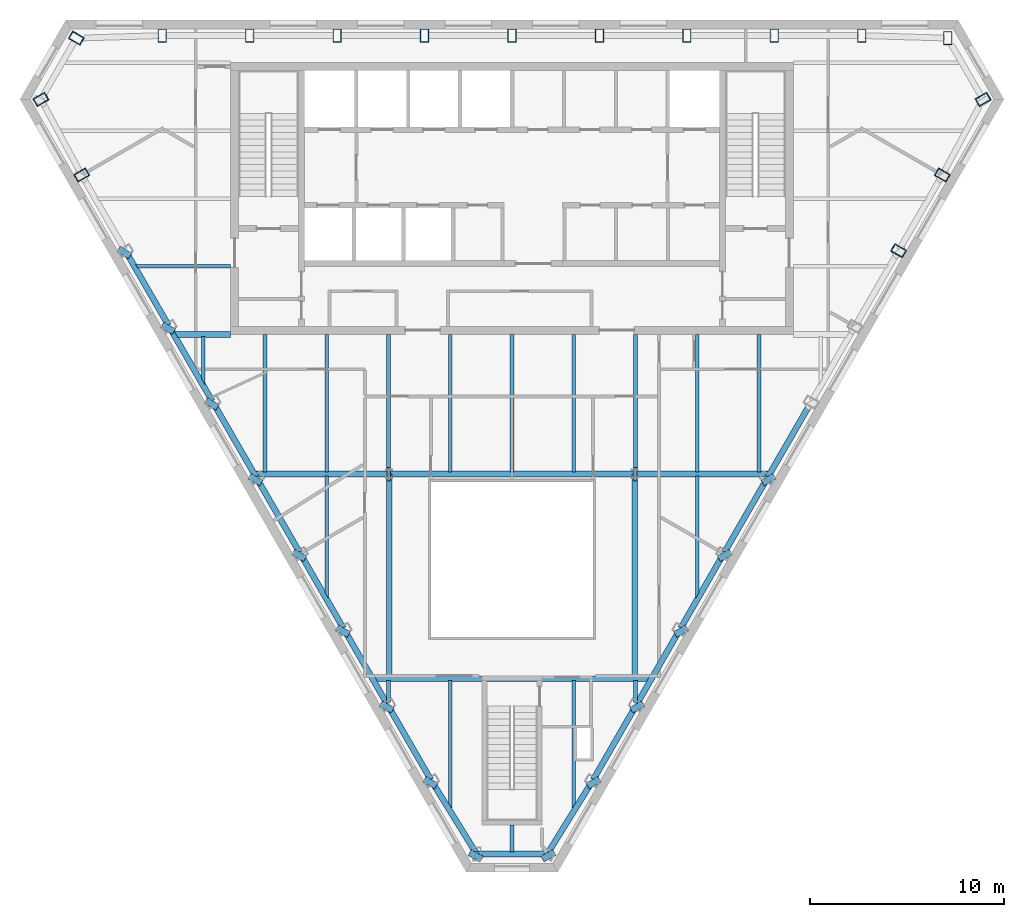
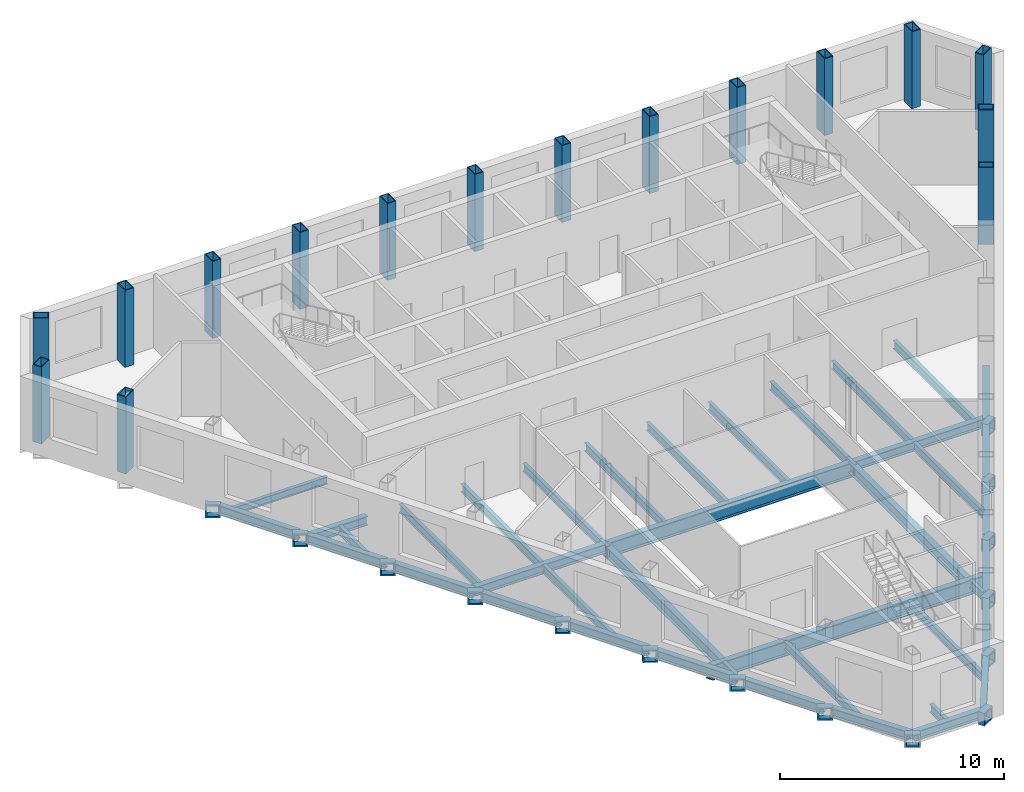
# One storey, part 2 of 10: 57 beams, 16 columns.
"""IFC4 building model written with IfcOpenShell, lengths in metres."""

from ifc_helpers import new_model, si_unit, direction, frame, origin, origin_2d, place, context, subcontext, project, spatial, hollow_rectangle, i_section, extrude, clip, halfspace, material, material_profile, profile_set, type_object, element, save


model = new_model("IFC4")

# Units and contexts
model_context = context("Model", 3, precision=1e-05, world=origin(), true_north=direction((0.0, 1.0)))
body_context = subcontext(model_context, "Body", "Model", "MODEL_VIEW")
ifc_project = project(units=[si_unit("LENGTHUNIT", "METRE"), si_unit("AREAUNIT", "SQUARE_METRE"), si_unit("VOLUMEUNIT", "CUBIC_METRE"), si_unit("PLANEANGLEUNIT", "RADIAN"), si_unit("MASSUNIT", "GRAM", prefix="KILO")], contexts=[model_context])

# Site, building, storey
site_placement = place(None, origin())
site = spatial("IfcSite", under=ifc_project, at=site_placement, CompositionType="ELEMENT")
building_placement = place(site_placement, origin())
building = spatial("IfcBuilding", under=site, at=building_placement, Name="Njiva Tower", CompositionType="ELEMENT")
storey_placement = place(building_placement, frame((0.0, 0.0, 304.2)))
storey = spatial("IfcBuildingStorey", under=building, at=storey_placement, Name="L69", CompositionType="ELEMENT", Elevation=304.2)

# Columns
ifc_material = material(Name="Steel S355 J2", Category="steel")
ifc_material_profile_1 = material_profile(ifc_material, hollow_rectangle(XDim=0.45, YDim=0.7, WallThickness=0.04, at=origin_2d()), Name="BOX 700x450x40")
ifc_profile_set_1 = profile_set([ifc_material_profile_1], Name="Steel S355 J2")
column_type = type_object("IfcColumnType", Name="C15 Perimeter tube column BOX 700x450x40", PredefinedType="COLUMN", material=ifc_profile_set_1)
for number, where, z_axis, x_axis, name in (
    (1, (22.456, 19.267, 0.0), (0.0, 0.0, 1.0), (-1.0, 0.0, 0.0), "Perimeter tube column S23-C01"),
    (2, (18.026, 19.4, 0.0), (0.0, 0.0, 1.0), (-1.0, 0.0, 0.0), "Perimeter tube column S23-C02"),
    (3, (13.52, 19.4, 0.0), (0.0, 0.0, 1.0), (-1.0, 0.0, 0.0), "Perimeter tube column S23-C03"),
    (4, (9.013, 19.4, 0.0), (0.0, 0.0, 1.0), (-1.0, 0.0, 0.0), "Perimeter tube column S23-C04"),
    (5, (4.507, 19.4, 0.0), (0.0, 0.0, 1.0), (-1.0, 0.0, 0.0), "Perimeter tube column S23-C05"),
    (6, (0.0, 19.4, 0.0), (0.0, 0.0, 1.0), (-1.0, 0.0, 0.0), "Perimeter tube column S23-C06"),
    (7, (-4.507, 19.4, 0.0), (0.0, 0.0, 1.0), (-1.0, 0.0, 0.0), "Perimeter tube column S23-C07"),
    (8, (-9.013, 19.4, 0.0), (0.0, 0.0, 1.0), (-1.0, 0.0, 0.0), "Perimeter tube column S23-C08"),
    (9, (-13.52, 19.4, 0.0), (0.0, 0.0, 1.0), (-1.0, 0.0, 0.0), "Perimeter tube column S23-C09"),
    (10, (-18.026, 19.4, 0.0), (0.0, 0.0, 1.0), (-1.0, 0.0, 0.0), "Perimeter tube column S23-C10"),
    (11, (-22.456, 19.267, 0.0), (0.0, 0.0, 1.0), (-0.5, -0.866025403784, 0.0), "Perimeter tube column S23-C11"),
    (12, (-24.278, 16.112, 0.0), (0.0, 0.0, 1.0), (0.5, -0.866025403784, 0.0), "Perimeter tube column S23-C12"),
    (13, (-22.178, 12.21, 0.0), (0.0, 0.0, 1.0), (0.5, -0.866025403784, 0.0), "Perimeter tube column S23-C13"),
    (14, (19.925, 8.307, 0.0), (0.0, 0.0, 1.0), (0.5, 0.866025403784, 0.0), "Perimeter tube column S23-C31"),
    (15, (22.178, 12.21, 0.0), (0.0, 0.0, 1.0), (0.5, 0.866025403784, 0.0), "Perimeter tube column S23-C32"),
    (16, (24.278, 16.112, 0.0), (0.0, 0.0, 1.0), (-0.5, 0.866025403784, 0.0), "Perimeter tube column S23-C33"),
):
    element("IfcColumn", number, at=place(storey_placement, frame(where, z_axis=z_axis, x_axis=x_axis)), inside=storey, type_object=column_type, Name=name, PredefinedType="COLUMN", context=body_context, shape_type="SweptSolid", body=[
        extrude(hollow_rectangle(XDim=0.45, YDim=0.7, WallThickness=0.04, at=origin_2d()), origin(), (0.0, 0.0, 1.0), 4.2),
    ])

# Beams
ifc_material_profile_2 = material_profile(ifc_material, hollow_rectangle(XDim=0.7, YDim=0.7, WallThickness=0.08, at=origin_2d()), Name="BOX 700x700x80")
ifc_profile_set_2 = profile_set([ifc_material_profile_2], Name="Steel S355 J2")
beam_type_1 = type_object("IfcBeamType", Name="B19 Column jog beam BOX 700x700x80", PredefinedType="BEAM", material=ifc_profile_set_2)
beam_1_placement = place(storey_placement, frame((-20.065, 8.071, -0.55), z_axis=(0.510538754155, 0.859854743841, 0.0), x_axis=(-0.859854743841, 0.510538754155, 0.0)))
element("IfcBeam", 17, at=beam_1_placement, inside=storey, type_object=beam_type_1, Name="Column jog beam S23-B015", PredefinedType="BEAM", context=body_context, shape_type="SweptSolid", body=[
    extrude(hollow_rectangle(XDim=0.7, YDim=0.7, WallThickness=0.08, at=origin_2d()), origin(), (0.0, 0.0, 1.0), 0.3349),
])
beam_2_placement = place(storey_placement, frame((-17.81, 4.167, -0.55), z_axis=(0.504799328644, 0.863236721763, 0.0), x_axis=(-0.863236721763, 0.504799328644, 0.0)))
element("IfcBeam", 18, at=beam_2_placement, inside=storey, type_object=beam_type_1, Name="Column jog beam S23-B016", PredefinedType="BEAM", context=body_context, shape_type="SweptSolid", body=[
    extrude(hollow_rectangle(XDim=0.7, YDim=0.7, WallThickness=0.08, at=origin_2d()), origin(), (0.0, 0.0, 1.0), 0.3348),
])
beam_3_placement = place(storey_placement, frame((-15.556, 0.264, -0.55), z_axis=(0.502568462288, 0.864537414293, 0.0), x_axis=(-0.864537414293, 0.502568462288, 0.0)))
element("IfcBeam", 19, at=beam_3_placement, inside=storey, type_object=beam_type_1, Name="Column jog beam S23-B017", PredefinedType="BEAM", context=body_context, shape_type="SweptSolid", body=[
    extrude(hollow_rectangle(XDim=0.7, YDim=0.7, WallThickness=0.08, at=origin_2d()), origin(), (0.0, 0.0, 1.0), 0.3343),
])
beam_4_placement = place(storey_placement, frame((-13.302, -3.64, -0.55), z_axis=(0.499032451057, 0.866583298242, 0.0), x_axis=(-0.866583298242, 0.499032451057, 0.0)))
element("IfcBeam", 20, at=beam_4_placement, inside=storey, type_object=beam_type_1, Name="Column jog beam S23-B018", PredefinedType="BEAM", context=body_context, shape_type="SweptSolid", body=[
    extrude(hollow_rectangle(XDim=0.7, YDim=0.7, WallThickness=0.08, at=origin_2d()), origin(), (0.0, 0.0, 1.0), 0.3346),
])
beam_5_placement = place(storey_placement, frame((-11.048, -7.544, -0.55), z_axis=(0.497742973701, 0.867324582916, 0.0), x_axis=(-0.867324582916, 0.497742973701, 0.0)))
element("IfcBeam", 21, at=beam_5_placement, inside=storey, type_object=beam_type_1, Name="Column jog beam S23-B019", PredefinedType="BEAM", context=body_context, shape_type="SweptSolid", body=[
    extrude(hollow_rectangle(XDim=0.7, YDim=0.7, WallThickness=0.08, at=origin_2d()), origin(), (0.0, 0.0, 1.0), 0.3355),
])
beam_6_placement = place(storey_placement, frame((-8.795, -11.448, -0.55), z_axis=(0.496459053258, 0.868060141026, 0.0), x_axis=(-0.868060141026, 0.496459053258, 0.0)))
element("IfcBeam", 22, at=beam_6_placement, inside=storey, type_object=beam_type_1, Name="Column jog beam S23-B020", PredefinedType="BEAM", context=body_context, shape_type="SweptSolid", body=[
    extrude(hollow_rectangle(XDim=0.7, YDim=0.7, WallThickness=0.08, at=origin_2d()), origin(), (0.0, 0.0, 1.0), 0.3364),
])
beam_7_placement = place(storey_placement, frame((-6.54, -15.351, -0.55), z_axis=(0.488421983051, 0.872607567279, 0.0), x_axis=(-0.872607567279, 0.488421983051, 0.0)))
element("IfcBeam", 23, at=beam_7_placement, inside=storey, type_object=beam_type_1, Name="Column jog beam S23-B021", PredefinedType="BEAM", context=body_context, shape_type="SweptSolid", body=[
    extrude(hollow_rectangle(XDim=0.7, YDim=0.7, WallThickness=0.08, at=origin_2d()), origin(), (0.0, 0.0, 1.0), 0.3358),
])
beam_8_placement = place(storey_placement, frame((-4.286, -19.255, -0.55), z_axis=(0.487155456773, 0.873315270069, 0.0), x_axis=(-0.873315270069, 0.487155456773, 0.0)))
element("IfcBeam", 24, at=beam_8_placement, inside=storey, type_object=beam_type_1, Name="Column jog beam S23-B023", PredefinedType="BEAM", context=body_context, shape_type="SweptSolid", body=[
    extrude(hollow_rectangle(XDim=0.7, YDim=0.7, WallThickness=0.08, at=origin_2d()), origin(), (0.0, 0.0, 1.0), 0.3366),
])
for number, where, z_axis, x_axis, name in (
    (25, (-1.955, -23.027, -0.55), (0.481125391996, 0.87665178787, 0.0), (-0.87665178787, 0.481125391996, 0.0), "Column jog beam S23-B024"),
    (26, (1.955, -23.027, -0.55), (-0.481125391996, 0.87665178787, 0.0), (-0.87665178787, -0.481125391996, 0.0), "Column jog beam S23-B025"),
):
    element("IfcBeam", number, at=place(storey_placement, frame(where, z_axis=z_axis, x_axis=x_axis)), inside=storey, type_object=beam_type_1, Name=name, PredefinedType="BEAM", context=body_context, shape_type="SweptSolid", body=[
        extrude(hollow_rectangle(XDim=0.7, YDim=0.7, WallThickness=0.08, at=origin_2d()), origin(), (0.0, 0.0, 1.0), 0.3388),
    ])
beam_9_placement = place(storey_placement, frame((4.286, -19.255, -0.55), z_axis=(-0.487155456773, 0.873315270069, 0.0), x_axis=(-0.873315270069, -0.487155456773, 0.0)))
element("IfcBeam", 27, at=beam_9_placement, inside=storey, type_object=beam_type_1, Name="Column jog beam S23-B026", PredefinedType="BEAM", context=body_context, shape_type="SweptSolid", body=[
    extrude(hollow_rectangle(XDim=0.7, YDim=0.7, WallThickness=0.08, at=origin_2d()), origin(), (0.0, 0.0, 1.0), 0.3366),
])
beam_10_placement = place(storey_placement, frame((6.54, -15.351, -0.55), z_axis=(-0.488421983051, 0.872607567279, 0.0), x_axis=(-0.872607567279, -0.488421983051, 0.0)))
element("IfcBeam", 28, at=beam_10_placement, inside=storey, type_object=beam_type_1, Name="Column jog beam S23-B028", PredefinedType="BEAM", context=body_context, shape_type="SweptSolid", body=[
    extrude(hollow_rectangle(XDim=0.7, YDim=0.7, WallThickness=0.08, at=origin_2d()), origin(), (0.0, 0.0, 1.0), 0.3358),
])
beam_11_placement = place(storey_placement, frame((8.795, -11.448, -0.55), z_axis=(-0.496459053258, 0.868060141026, 0.0), x_axis=(-0.868060141026, -0.496459053258, 0.0)))
element("IfcBeam", 29, at=beam_11_placement, inside=storey, type_object=beam_type_1, Name="Column jog beam S23-B029", PredefinedType="BEAM", context=body_context, shape_type="SweptSolid", body=[
    extrude(hollow_rectangle(XDim=0.7, YDim=0.7, WallThickness=0.08, at=origin_2d()), origin(), (0.0, 0.0, 1.0), 0.3364),
])
beam_12_placement = place(storey_placement, frame((11.048, -7.544, -0.55), z_axis=(-0.497742973701, 0.867324582916, 0.0), x_axis=(-0.867324582916, -0.497742973701, 0.0)))
element("IfcBeam", 30, at=beam_12_placement, inside=storey, type_object=beam_type_1, Name="Column jog beam S23-B030", PredefinedType="BEAM", context=body_context, shape_type="SweptSolid", body=[
    extrude(hollow_rectangle(XDim=0.7, YDim=0.7, WallThickness=0.08, at=origin_2d()), origin(), (0.0, 0.0, 1.0), 0.3355),
])
beam_13_placement = place(storey_placement, frame((13.302, -3.64, -0.55), z_axis=(-0.499032451057, 0.866583298242, 0.0), x_axis=(-0.866583298242, -0.499032451057, 0.0)))
element("IfcBeam", 31, at=beam_13_placement, inside=storey, type_object=beam_type_1, Name="Column jog beam S23-B031", PredefinedType="BEAM", context=body_context, shape_type="SweptSolid", body=[
    extrude(hollow_rectangle(XDim=0.7, YDim=0.7, WallThickness=0.08, at=origin_2d()), origin(), (0.0, 0.0, 1.0), 0.3346),
])
for number, where, z_axis, x_axis, name in (
    (32, (6.44, -3.2, -0.55), (-1.0, 0.0, 0.0), (0.0, -1.0, 0.0), "Column jog beam S23-B027"),
    (33, (-6.44, -3.2, -0.55), (1.0, 0.0, 0.0), (0.0, 1.0, 0.0), "Column jog beam S23-B022"),
):
    element("IfcBeam", number, at=place(storey_placement, frame(where, z_axis=z_axis, x_axis=x_axis)), inside=storey, type_object=beam_type_1, Name=name, PredefinedType="BEAM", context=body_context, shape_type="SweptSolid", body=[
        extrude(hollow_rectangle(XDim=0.7, YDim=0.7, WallThickness=0.08, at=origin_2d()), origin(), (0.0, 0.0, 1.0), 0.17),
    ])
ifc_material_profile_3 = material_profile(ifc_material, i_section(OverallWidth=0.3, OverallDepth=0.59, WebThickness=0.013, FlangeThickness=0.025, at=origin_2d()), Name="HEA 600")
ifc_profile_set_3 = profile_set([ifc_material_profile_3], Name="Steel S355 J2")
beam_type_2 = type_object("IfcBeamType", Name="B30 Long-span atrium trimmer beam HEA 600", PredefinedType="BEAM", material=ifc_profile_set_3)
for number, where, z_axis, x_axis, name in (
    (34, (6.33, -13.649, -0.495), (0.0, 1.0, 0.0), (-1.0, 0.0, 0.0), "Long-span atrium trimmer beam S23-B062"),
    (35, (-6.33, -3.2, -0.495), (0.0, -1.0, 0.0), (1.0, 0.0, 0.0), "Long-span atrium trimmer beam S23-B059"),
):
    element("IfcBeam", number, at=place(storey_placement, frame(where, z_axis=z_axis, x_axis=x_axis)), inside=storey, type_object=beam_type_2, Name=name, PredefinedType="BEAM", context=body_context, shape_type="SweptSolid", body=[
        extrude(i_section(OverallWidth=0.3, OverallDepth=0.59, WebThickness=0.013, FlangeThickness=0.025, at=origin_2d()), origin(), (0.0, 0.0, 1.0), 10.449),
    ])
ifc_material_profile_4 = material_profile(ifc_material, i_section(OverallWidth=0.303, OverallDepth=0.814, WebThickness=0.021, FlangeThickness=0.04, at=origin_2d()), Name="HEM 800")
ifc_profile_set_4 = profile_set([ifc_material_profile_4], Name="Steel S355 J2")
beam_type_3 = type_object("IfcBeamType", Name="B36 Long-span atrium trimmer beam HEM 800", PredefinedType="BEAM", material=ifc_profile_set_4)
beam_14_placement = place(storey_placement, frame((-7.182, -13.75, -0.607), z_axis=(1.0, 0.0, 0.0), x_axis=(0.0, 1.0, 0.0)))
element("IfcBeam", 36, at=beam_14_placement, inside=storey, type_object=beam_type_3, Name="Long-span atrium trimmer beam S23-B057", PredefinedType="BEAM", context=body_context, shape_type="Clipping", body=[
    clip(clip(extrude(i_section(OverallWidth=0.303, OverallDepth=0.814, WebThickness=0.021, FlangeThickness=0.04, at=origin_2d()), origin(), (0.0, 0.0, 1.0), 14.364), halfspace(frame((-0.025, 0.0, 0.1217), z_axis=(-0.499998009787, 0.0, -0.866026552831), x_axis=(0.0, -1.0, 0.0)), False)), halfspace(frame((-0.025, 0.0, 14.2423), z_axis=(-0.499998009787, 0.0, 0.866026552831), x_axis=(0.0, 1.0, 0.0)), False)),
])
ifc_material_profile_5 = material_profile(ifc_material, i_section(OverallWidth=0.3, OverallDepth=0.49, WebThickness=0.012, FlangeThickness=0.023, at=origin_2d()), Name="HEA 500")
ifc_profile_set_5 = profile_set([ifc_material_profile_5], Name="Steel S355 J2")
beam_type_4 = type_object("IfcBeamType", Name="B48 Short-span spandrel beam HEA 500", PredefinedType="SPANDREL", material=ifc_profile_set_5)
beam_15_placement = place(storey_placement, frame((-19.785, 8.065, -0.445), z_axis=(0.49999308822, -0.866029394266, 0.0), x_axis=(0.866029394266, 0.49999308822, 0.0)))
element("IfcBeam", 37, at=beam_15_placement, inside=storey, type_object=beam_type_4, Name="Short-span spandrel beam S23-B072", PredefinedType="SPANDREL", context=body_context, shape_type="SweptSolid", body=[
    extrude(i_section(OverallWidth=0.3, OverallDepth=0.49, WebThickness=0.012, FlangeThickness=0.023, at=origin_2d()), origin(), (0.0, 0.0, 1.0), 4.1581),
])
for number, where, z_axis, x_axis, name in (
    (38, (-17.531, 4.161, -0.445), (0.500097243556, -0.865969252911, 0.0), (0.865969252911, 0.500097243556, 0.0), "Short-span spandrel beam S23-B076"),
    (39, (-15.277, 0.257, -0.445), (0.500097243556, -0.865969252911, 0.0), (0.865969252911, 0.500097243556, 0.0), "Short-span spandrel beam S23-B078"),
    (40, (-13.023, -3.647, -0.445), (0.500097243556, -0.865969252911, 0.0), (0.865969252911, 0.500097243556, 0.0), "Short-span spandrel beam S23-B081"),
):
    element("IfcBeam", number, at=place(storey_placement, frame(where, z_axis=z_axis, x_axis=x_axis)), inside=storey, type_object=beam_type_4, Name=name, PredefinedType="SPANDREL", context=body_context, shape_type="SweptSolid", body=[
        extrude(i_section(OverallWidth=0.3, OverallDepth=0.49, WebThickness=0.012, FlangeThickness=0.023, at=origin_2d()), origin(), (0.0, 0.0, 1.0), 4.1572),
    ])
beam_16_placement = place(storey_placement, frame((-10.769, -7.551, -0.445), z_axis=(0.499916824138, -0.866073420066, 0.0), x_axis=(0.866073420066, 0.499916824138, 0.0)))
element("IfcBeam", 41, at=beam_16_placement, inside=storey, type_object=beam_type_4, Name="Short-span spandrel beam S23-B083", PredefinedType="SPANDREL", context=body_context, shape_type="SweptSolid", body=[
    extrude(i_section(OverallWidth=0.3, OverallDepth=0.49, WebThickness=0.012, FlangeThickness=0.023, at=origin_2d()), origin(), (0.0, 0.0, 1.0), 4.1567),
])
beam_17_placement = place(storey_placement, frame((-8.516, -11.454, -0.445), z_axis=(0.500097243556, -0.865969252911, 0.0), x_axis=(0.865969252911, 0.500097243556, 0.0)))
element("IfcBeam", 42, at=beam_17_placement, inside=storey, type_object=beam_type_4, Name="Short-span spandrel beam S23-B086", PredefinedType="SPANDREL", context=body_context, shape_type="SweptSolid", body=[
    extrude(i_section(OverallWidth=0.3, OverallDepth=0.49, WebThickness=0.012, FlangeThickness=0.023, at=origin_2d()), origin(), (0.0, 0.0, 1.0), 4.1572),
])
beam_18_placement = place(storey_placement, frame((-6.262, -15.357, -0.445), z_axis=(0.49999308822, -0.866029394266, 0.0), x_axis=(0.866029394266, 0.49999308822, 0.0)))
element("IfcBeam", 43, at=beam_18_placement, inside=storey, type_object=beam_type_4, Name="Short-span spandrel beam S23-B088", PredefinedType="SPANDREL", context=body_context, shape_type="SweptSolid", body=[
    extrude(i_section(OverallWidth=0.3, OverallDepth=0.49, WebThickness=0.012, FlangeThickness=0.023, at=origin_2d()), origin(), (0.0, 0.0, 1.0), 4.1581),
])
beam_19_placement = place(storey_placement, frame((-3.999, -19.26, -0.445), z_axis=(0.525736874835, -0.850647246771, 0.0), x_axis=(0.850647246771, 0.525736874835, 0.0)))
element("IfcBeam", 44, at=beam_19_placement, inside=storey, type_object=beam_type_4, Name="Short-span spandrel beam S23-B091", PredefinedType="SPANDREL", context=body_context, shape_type="Clipping", body=[
    clip(extrude(i_section(OverallWidth=0.3, OverallDepth=0.49, WebThickness=0.012, FlangeThickness=0.023, at=origin_2d()), origin(), (0.0, 0.0, 1.0), 4.1264), halfspace(frame((-0.026, 0.0, 3.9973), z_axis=(-0.525736874835, 0.0, 0.850647246771), x_axis=(0.0, 1.0, 0.0)), False)),
])
beam_20_placement = place(storey_placement, frame((-1.751, -22.783, -0.445), z_axis=(1.0, 0.0, 0.0), x_axis=(0.0, 1.0, 0.0)))
element("IfcBeam", 45, at=beam_20_placement, inside=storey, type_object=beam_type_4, Name="Short-span spandrel beam S23-B092", PredefinedType="SPANDREL", context=body_context, shape_type="Clipping", body=[
    clip(extrude(i_section(OverallWidth=0.3, OverallDepth=0.49, WebThickness=0.012, FlangeThickness=0.023, at=origin_2d()), origin(), (0.0, 0.0, 1.0), 3.548), halfspace(frame((-0.025, 0.0, 3.4264), z_axis=(-0.499998009787, 0.0, 0.866026552831), x_axis=(0.0, 1.0, 0.0)), False)),
])
beam_21_placement = place(storey_placement, frame((1.856, -22.727, -0.445), z_axis=(0.525780139564, 0.850620505772, 0.0), x_axis=(-0.850620505772, 0.525780139564, 0.0)))
element("IfcBeam", 46, at=beam_21_placement, inside=storey, type_object=beam_type_4, Name="Short-span spandrel beam S23-B095", PredefinedType="SPANDREL", context=body_context, shape_type="SweptSolid", body=[
    extrude(i_section(OverallWidth=0.3, OverallDepth=0.49, WebThickness=0.012, FlangeThickness=0.023, at=origin_2d()), origin(), (0.0, 0.0, 1.0), 4.0758),
])
beam_22_placement = place(storey_placement, frame((4.183, -18.958, -0.445), z_axis=(0.49999308822, 0.866029394266, 0.0), x_axis=(-0.866029394266, 0.49999308822, 0.0)))
element("IfcBeam", 47, at=beam_22_placement, inside=storey, type_object=beam_type_4, Name="Short-span spandrel beam S23-B097", PredefinedType="SPANDREL", context=body_context, shape_type="SweptSolid", body=[
    extrude(i_section(OverallWidth=0.3, OverallDepth=0.49, WebThickness=0.012, FlangeThickness=0.023, at=origin_2d()), origin(), (0.0, 0.0, 1.0), 4.1581),
])
beam_23_placement = place(storey_placement, frame((6.437, -15.054, -0.445), z_axis=(0.500097243556, 0.865969252911, 0.0), x_axis=(-0.865969252911, 0.500097243556, 0.0)))
element("IfcBeam", 48, at=beam_23_placement, inside=storey, type_object=beam_type_4, Name="Short-span spandrel beam S23-B100", PredefinedType="SPANDREL", context=body_context, shape_type="SweptSolid", body=[
    extrude(i_section(OverallWidth=0.3, OverallDepth=0.49, WebThickness=0.012, FlangeThickness=0.023, at=origin_2d()), origin(), (0.0, 0.0, 1.0), 4.1572),
])
beam_24_placement = place(storey_placement, frame((8.691, -11.151, -0.445), z_axis=(0.499916824138, 0.866073420066, 0.0), x_axis=(-0.866073420066, 0.499916824138, 0.0)))
element("IfcBeam", 49, at=beam_24_placement, inside=storey, type_object=beam_type_4, Name="Short-span spandrel beam S23-B102", PredefinedType="SPANDREL", context=body_context, shape_type="SweptSolid", body=[
    extrude(i_section(OverallWidth=0.3, OverallDepth=0.49, WebThickness=0.012, FlangeThickness=0.023, at=origin_2d()), origin(), (0.0, 0.0, 1.0), 4.1567),
])
for number, where, z_axis, x_axis, name in (
    (50, (10.944, -7.247, -0.445), (0.500097243556, 0.865969252911, 0.0), (-0.865969252911, 0.500097243556, 0.0), "Short-span spandrel beam S23-B105"),
    (51, (13.198, -3.343, -0.445), (0.500097243556, 0.865969252911, 0.0), (-0.865969252911, 0.500097243556, 0.0), "Short-span spandrel beam S23-B107"),
):
    element("IfcBeam", number, at=place(storey_placement, frame(where, z_axis=z_axis, x_axis=x_axis)), inside=storey, type_object=beam_type_4, Name=name, PredefinedType="SPANDREL", context=body_context, shape_type="SweptSolid", body=[
        extrude(i_section(OverallWidth=0.3, OverallDepth=0.49, WebThickness=0.012, FlangeThickness=0.023, at=origin_2d()), origin(), (0.0, 0.0, 1.0), 4.1572),
    ])
ifc_material_profile_6 = material_profile(ifc_material, i_section(OverallWidth=0.3, OverallDepth=0.49, WebThickness=0.012, FlangeThickness=0.023, at=origin_2d()), Name="HEA 500")
ifc_profile_set_6 = profile_set([ifc_material_profile_6], Name="Steel S355 J2")
beam_type_5 = type_object("IfcBeamType", Name="B49 Floor girder HEA 500", PredefinedType="BEAM", material=ifc_profile_set_6)
beam_25_placement = place(storey_placement, frame((-13.273, -3.2, -0.445), z_axis=(1.0, 0.0, 0.0), x_axis=(0.0, 1.0, 0.0)))
element("IfcBeam", 52, at=beam_25_placement, inside=storey, type_object=beam_type_5, Name="Floor girder S23-B010", PredefinedType="BEAM", context=body_context, shape_type="Clipping", body=[
    clip(extrude(i_section(OverallWidth=0.3, OverallDepth=0.49, WebThickness=0.012, FlangeThickness=0.023, at=origin_2d()), origin(), (0.0, 0.0, 1.0), 6.943), halfspace(frame((-0.025, 0.0, 0.1217), z_axis=(-0.499998009787, 0.0, -0.866026552831), x_axis=(0.0, -1.0, 0.0)), False)),
])
beam_26_placement = place(storey_placement, frame((6.33, -3.2, -0.445), z_axis=(1.0, 0.0, 0.0), x_axis=(0.0, 1.0, 0.0)))
element("IfcBeam", 53, at=beam_26_placement, inside=storey, type_object=beam_type_5, Name="Floor girder S23-B011", PredefinedType="BEAM", context=body_context, shape_type="Clipping", body=[
    clip(extrude(i_section(OverallWidth=0.3, OverallDepth=0.49, WebThickness=0.012, FlangeThickness=0.023, at=origin_2d()), origin(), (0.0, 0.0, 1.0), 6.943), halfspace(frame((-0.025, 0.0, 6.8213), z_axis=(-0.499998009787, 0.0, 0.866026552831), x_axis=(0.0, 1.0, 0.0)), False)),
])
ifc_material_profile_7 = material_profile(ifc_material, i_section(OverallWidth=0.3, OverallDepth=0.49, WebThickness=0.012, FlangeThickness=0.023, at=origin_2d()), Name="HEA 500")
ifc_profile_set_7 = profile_set([ifc_material_profile_7], Name="Steel S355 J2")
beam_type_6 = type_object("IfcBeamType", Name="B50 Short-span floor girder HEA 500", PredefinedType="BEAM", material=ifc_profile_set_7)
beam_27_placement = place(storey_placement, frame((-17.43, 4.0, -0.445), z_axis=(1.0, 0.0, 0.0), x_axis=(0.0, 1.0, 0.0)))
element("IfcBeam", 54, at=beam_27_placement, inside=storey, type_object=beam_type_6, Name="Short-span floor girder S23-B009", PredefinedType="BEAM", context=body_context, shape_type="Clipping", body=[
    clip(extrude(i_section(OverallWidth=0.3, OverallDepth=0.49, WebThickness=0.012, FlangeThickness=0.023, at=origin_2d()), origin(), (0.0, 0.0, 1.0), 2.93), halfspace(frame((-0.025, 0.0, 0.1217), z_axis=(-0.499998009787, 0.0, -0.866026552831), x_axis=(0.0, -1.0, 0.0)), False)),
])
ifc_material_profile_8 = material_profile(ifc_material, i_section(OverallWidth=0.18, OverallDepth=0.4, WebThickness=0.0086, FlangeThickness=0.0135, at=origin_2d()), Name="IPE 400")
ifc_profile_set_8 = profile_set([ifc_material_profile_8], Name="Steel S355 J2")
beam_type_7 = type_object("IfcBeamType", Name="B51 Floor beam to the core IPE 400", PredefinedType="BEAM", material=ifc_profile_set_8)
beam_28_placement = place(storey_placement, frame((-19.415, 7.5, -0.4), z_axis=(1.0, 0.0, 0.0), x_axis=(0.0, 1.0, 0.0)))
element("IfcBeam", 55, at=beam_28_placement, inside=storey, type_object=beam_type_7, Name="Floor beam to the core S23-B004", PredefinedType="BEAM", context=body_context, shape_type="Clipping", body=[
    clip(extrude(i_section(OverallWidth=0.18, OverallDepth=0.4, WebThickness=0.0086, FlangeThickness=0.0135, at=origin_2d()), origin(), (0.0, 0.0, 1.0), 4.915), halfspace(frame((-0.025, 0.0, 0.086), z_axis=(-0.499998009787, 0.0, -0.866026552831), x_axis=(0.0, -1.0, 0.0)), False)),
])
ifc_material_profile_9 = material_profile(ifc_material, i_section(OverallWidth=0.19, OverallDepth=0.45, WebThickness=0.0094, FlangeThickness=0.0146, at=origin_2d()), Name="IPE 450")
ifc_profile_set_9 = profile_set([ifc_material_profile_9], Name="Steel S355 J2")
beam_type_8 = type_object("IfcBeamType", Name="B52 Short-span floor joist IPE 450", PredefinedType="JOIST", material=ifc_profile_set_9)
beam_29_placement = place(storey_placement, frame((-15.917, 3.9, -0.425), z_axis=(0.0, -1.0, 0.0), x_axis=(1.0, 0.0, 0.0)))
element("IfcBeam", 56, at=beam_29_placement, inside=storey, type_object=beam_type_8, Name="Short-span floor joist S23-B037", PredefinedType="JOIST", context=body_context, shape_type="Clipping", body=[
    clip(extrude(i_section(OverallWidth=0.19, OverallDepth=0.45, WebThickness=0.0094, FlangeThickness=0.0146, at=origin_2d()), origin(), (0.0, 0.0, 1.0), 2.52), halfspace(frame((-0.043, 0.0, 2.2603), z_axis=(-0.866026552831, 0.0, 0.499998009787), x_axis=(0.0, 1.0, 0.0)), False)),
])
beam_30_placement = place(storey_placement, frame((-6.367, -13.851, -0.425), z_axis=(0.0, -1.0, 0.0), x_axis=(1.0, 0.0, 0.0)))
element("IfcBeam", 57, at=beam_30_placement, inside=storey, type_object=beam_type_8, Name="Short-span floor joist S23-B041", PredefinedType="JOIST", context=body_context, shape_type="Clipping", body=[
    clip(extrude(i_section(OverallWidth=0.19, OverallDepth=0.45, WebThickness=0.0094, FlangeThickness=0.0146, at=origin_2d()), origin(), (0.0, 0.0, 1.0), 1.238), halfspace(frame((0.0253, 0.0, 1.1482), z_axis=(0.499998009787, 0.0, 0.866026552831), x_axis=(0.0, 1.0, 0.0)), False)),
])
beam_31_placement = place(storey_placement, frame((0.0, -21.3, -0.425), z_axis=(0.0, -1.0, 0.0), x_axis=(1.0, 0.0, 0.0)))
element("IfcBeam", 58, at=beam_31_placement, inside=storey, type_object=beam_type_8, Name="Short-span floor joist S23-B046", PredefinedType="JOIST", context=body_context, shape_type="SweptSolid", body=[
    extrude(i_section(OverallWidth=0.19, OverallDepth=0.45, WebThickness=0.0094, FlangeThickness=0.0146, at=origin_2d()), origin(), (0.0, 0.0, 1.0), 1.383),
])
beam_32_placement = place(storey_placement, frame((6.367, -13.851, -0.425), z_axis=(0.0, -1.0, 0.0), x_axis=(1.0, 0.0, 0.0)))
element("IfcBeam", 59, at=beam_32_placement, inside=storey, type_object=beam_type_8, Name="Short-span floor joist S23-B050", PredefinedType="JOIST", context=body_context, shape_type="Clipping", body=[
    clip(extrude(i_section(OverallWidth=0.19, OverallDepth=0.45, WebThickness=0.0094, FlangeThickness=0.0146, at=origin_2d()), origin(), (0.0, 0.0, 1.0), 1.238), halfspace(frame((-0.0253, 0.0, 1.1482), z_axis=(-0.499998009787, 0.0, 0.866026552831), x_axis=(0.0, 1.0, 0.0)), False)),
])
ifc_material_profile_10 = material_profile(ifc_material, i_section(OverallWidth=0.19, OverallDepth=0.45, WebThickness=0.0094, FlangeThickness=0.0146, at=origin_2d()), Name="IPE 450")
ifc_profile_set_10 = profile_set([ifc_material_profile_10], Name="Steel S355 J2")
beam_type_9 = type_object("IfcBeamType", Name="B53 Floor joist IPE 450", PredefinedType="JOIST", material=ifc_profile_set_10)
for number, where, z_axis, x_axis, name in (
    (60, (-12.733, 3.995, -0.425), (0.0, -1.0, 0.0), (1.0, 0.0, 0.0), "Floor joist S23-B038"),
    (61, (-9.55, 3.995, -0.425), (0.0, -1.0, 0.0), (1.0, 0.0, 0.0), "Floor joist S23-B040"),
):
    element("IfcBeam", number, at=place(storey_placement, frame(where, z_axis=z_axis, x_axis=x_axis)), inside=storey, type_object=beam_type_9, Name=name, PredefinedType="JOIST", context=body_context, shape_type="SweptSolid", body=[
        extrude(i_section(OverallWidth=0.19, OverallDepth=0.45, WebThickness=0.0094, FlangeThickness=0.0146, at=origin_2d()), origin(), (0.0, 0.0, 1.0), 7.095),
    ])
beam_33_placement = place(storey_placement, frame((-9.55, -3.3, -0.425), z_axis=(0.0, -1.0, 0.0), x_axis=(1.0, 0.0, 0.0)))
element("IfcBeam", 62, at=beam_33_placement, inside=storey, type_object=beam_type_9, Name="Floor joist S23-B039", PredefinedType="JOIST", context=body_context, shape_type="Clipping", body=[
    clip(extrude(i_section(OverallWidth=0.19, OverallDepth=0.45, WebThickness=0.0094, FlangeThickness=0.0146, at=origin_2d()), origin(), (0.0, 0.0, 1.0), 6.348), halfspace(frame((-0.0433, 0.0, 6.0877), z_axis=(-0.866026552831, 0.0, 0.499998009787), x_axis=(0.0, 1.0, 0.0)), False)),
])
beam_34_placement = place(storey_placement, frame((-6.367, 3.995, -0.425), z_axis=(0.0, -1.0, 0.0), x_axis=(1.0, 0.0, 0.0)))
element("IfcBeam", 63, at=beam_34_placement, inside=storey, type_object=beam_type_9, Name="Floor joist S23-B043", PredefinedType="JOIST", context=body_context, shape_type="SweptSolid", body=[
    extrude(i_section(OverallWidth=0.19, OverallDepth=0.45, WebThickness=0.0094, FlangeThickness=0.0146, at=origin_2d()), origin(), (0.0, 0.0, 1.0), 7.02),
])
beam_35_placement = place(storey_placement, frame((-3.183, 3.995, -0.425), z_axis=(0.0, -1.0, 0.0), x_axis=(1.0, 0.0, 0.0)))
element("IfcBeam", 64, at=beam_35_placement, inside=storey, type_object=beam_type_9, Name="Floor joist S23-B045", PredefinedType="JOIST", context=body_context, shape_type="SweptSolid", body=[
    extrude(i_section(OverallWidth=0.19, OverallDepth=0.45, WebThickness=0.0094, FlangeThickness=0.0146, at=origin_2d()), origin(), (0.0, 0.0, 1.0), 7.095),
])
beam_36_placement = place(storey_placement, frame((-3.183, -13.851, -0.425), z_axis=(0.0, -1.0, 0.0), x_axis=(1.0, 0.0, 0.0)))
element("IfcBeam", 65, at=beam_36_placement, inside=storey, type_object=beam_type_9, Name="Floor joist S23-B044", PredefinedType="JOIST", context=body_context, shape_type="Clipping", body=[
    clip(extrude(i_section(OverallWidth=0.19, OverallDepth=0.45, WebThickness=0.0094, FlangeThickness=0.0146, at=origin_2d()), origin(), (0.0, 0.0, 1.0), 6.712), halfspace(frame((-0.0429, 0.0, 6.4695), z_axis=(-0.850615955969, 0.0, 0.525787500281), x_axis=(0.0, 1.0, 0.0)), False)),
])
for number, where, z_axis, x_axis, name in (
    (66, (0.0, 3.995, -0.425), (0.0, -1.0, 0.0), (1.0, 0.0, 0.0), "Floor joist S23-B047"),
    (67, (3.183, 3.995, -0.425), (0.0, -1.0, 0.0), (1.0, 0.0, 0.0), "Floor joist S23-B049"),
):
    element("IfcBeam", number, at=place(storey_placement, frame(where, z_axis=z_axis, x_axis=x_axis)), inside=storey, type_object=beam_type_9, Name=name, PredefinedType="JOIST", context=body_context, shape_type="SweptSolid", body=[
        extrude(i_section(OverallWidth=0.19, OverallDepth=0.45, WebThickness=0.0094, FlangeThickness=0.0146, at=origin_2d()), origin(), (0.0, 0.0, 1.0), 7.095),
    ])
beam_37_placement = place(storey_placement, frame((3.183, -13.851, -0.425), z_axis=(0.0, -1.0, 0.0), x_axis=(1.0, 0.0, 0.0)))
element("IfcBeam", 68, at=beam_37_placement, inside=storey, type_object=beam_type_9, Name="Floor joist S23-B048", PredefinedType="JOIST", context=body_context, shape_type="Clipping", body=[
    clip(extrude(i_section(OverallWidth=0.19, OverallDepth=0.45, WebThickness=0.0094, FlangeThickness=0.0146, at=origin_2d()), origin(), (0.0, 0.0, 1.0), 6.712), halfspace(frame((0.0429, 0.0, 6.4695), z_axis=(0.850615955969, 0.0, 0.525787500281), x_axis=(0.0, 1.0, 0.0)), False)),
])
beam_38_placement = place(storey_placement, frame((6.367, 3.995, -0.425), z_axis=(0.0, -1.0, 0.0), x_axis=(1.0, 0.0, 0.0)))
element("IfcBeam", 69, at=beam_38_placement, inside=storey, type_object=beam_type_9, Name="Floor joist S23-B052", PredefinedType="JOIST", context=body_context, shape_type="SweptSolid", body=[
    extrude(i_section(OverallWidth=0.19, OverallDepth=0.45, WebThickness=0.0094, FlangeThickness=0.0146, at=origin_2d()), origin(), (0.0, 0.0, 1.0), 7.02),
])
beam_39_placement = place(storey_placement, frame((9.55, 3.995, -0.425), z_axis=(0.0, -1.0, 0.0), x_axis=(1.0, 0.0, 0.0)))
element("IfcBeam", 70, at=beam_39_placement, inside=storey, type_object=beam_type_9, Name="Floor joist S23-B054", PredefinedType="JOIST", context=body_context, shape_type="SweptSolid", body=[
    extrude(i_section(OverallWidth=0.19, OverallDepth=0.45, WebThickness=0.0094, FlangeThickness=0.0146, at=origin_2d()), origin(), (0.0, 0.0, 1.0), 7.095),
])
beam_40_placement = place(storey_placement, frame((9.55, -3.3, -0.425), z_axis=(0.0, -1.0, 0.0), x_axis=(1.0, 0.0, 0.0)))
element("IfcBeam", 71, at=beam_40_placement, inside=storey, type_object=beam_type_9, Name="Floor joist S23-B053", PredefinedType="JOIST", context=body_context, shape_type="Clipping", body=[
    clip(extrude(i_section(OverallWidth=0.19, OverallDepth=0.45, WebThickness=0.0094, FlangeThickness=0.0146, at=origin_2d()), origin(), (0.0, 0.0, 1.0), 6.348), halfspace(frame((0.0433, 0.0, 6.0877), z_axis=(0.866026552831, 0.0, 0.499998009787), x_axis=(0.0, 1.0, 0.0)), False)),
])
beam_41_placement = place(storey_placement, frame((12.733, 3.995, -0.425), z_axis=(0.0, -1.0, 0.0), x_axis=(1.0, 0.0, 0.0)))
element("IfcBeam", 72, at=beam_41_placement, inside=storey, type_object=beam_type_9, Name="Floor joist S23-B055", PredefinedType="JOIST", context=body_context, shape_type="SweptSolid", body=[
    extrude(i_section(OverallWidth=0.19, OverallDepth=0.45, WebThickness=0.0094, FlangeThickness=0.0146, at=origin_2d()), origin(), (0.0, 0.0, 1.0), 7.095),
])
ifc_material_profile_11 = material_profile(ifc_material, i_section(OverallWidth=0.3, OverallDepth=0.79, WebThickness=0.015, FlangeThickness=0.028, at=origin_2d()), Name="HEA 800")
ifc_profile_set_11 = profile_set([ifc_material_profile_11], Name="Steel S355 J2")
beam_type_10 = type_object("IfcBeamType", Name="B9 Long-span atrium trimmer beam HEA 800", PredefinedType="BEAM", material=ifc_profile_set_11)
beam_42_placement = place(storey_placement, frame((6.33, -3.2, -0.595), z_axis=(-1.0, 0.0, 0.0), x_axis=(0.0, -1.0, 0.0)))
element("IfcBeam", 73, at=beam_42_placement, inside=storey, type_object=beam_type_10, Name="Long-span atrium trimmer beam S23-B060", PredefinedType="BEAM", context=body_context, shape_type="SweptSolid", body=[
    extrude(i_section(OverallWidth=0.3, OverallDepth=0.79, WebThickness=0.015, FlangeThickness=0.028, at=origin_2d()), origin(), (0.0, 0.0, 1.0), 12.66),
])

save(model, "model.ifc")
